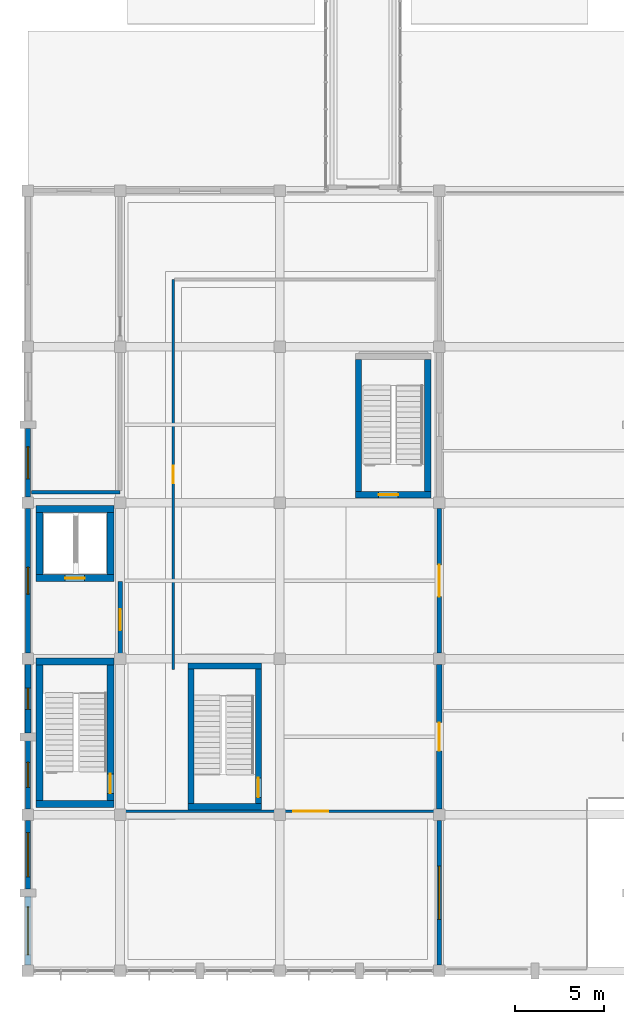
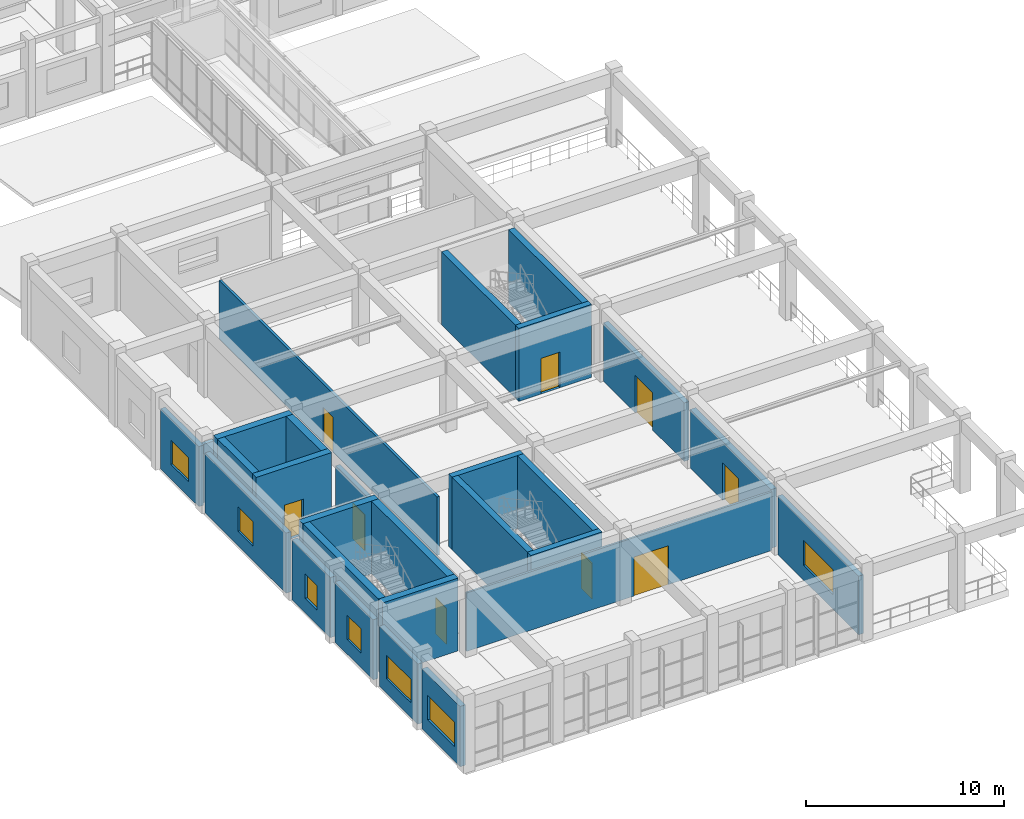
# One storey, part 81 of 104: 28 walls, 9 doors, 7 windows, 16 openings.
"""IFC4 building model written with IfcOpenShell, lengths in metres."""

from ifc_helpers import new_model, si_unit, direction, frame, frame_2d, origin, place, context, subcontext, project, spatial, rectangle, extrude, material, layer, layer_set, type_object, element, fill, save


model = new_model("IFC4")

# Units and contexts
model_context = context("Model", 3, precision=1e-05, world=origin(), true_north=direction((0.0, 1.0)))
body_context = subcontext(model_context, "Body", "Model", "MODEL_VIEW")
ifc_project = project(units=[si_unit("LENGTHUNIT", "METRE"), si_unit("AREAUNIT", "SQUARE_METRE"), si_unit("VOLUMEUNIT", "CUBIC_METRE"), si_unit("PLANEANGLEUNIT", "RADIAN"), si_unit("MASSUNIT", "GRAM", prefix="KILO")], contexts=[model_context])

# Site, building, storey
site_placement = place(None, origin())
site = spatial("IfcSite", under=ifc_project, at=site_placement, CompositionType="ELEMENT")
building_placement = place(site_placement, origin())
building = spatial("IfcBuilding", under=site, at=building_placement, Name="Ventoquebrada Cableway Terminal", CompositionType="ELEMENT")
storey_placement = place(building_placement, frame((0.0, 0.0, 4.800048828125)))
storey = spatial("IfcBuildingStorey", under=building, at=storey_placement, Name="L01", CompositionType="ELEMENT", Elevation=4.800048828125)

# Wall
ifc_material_1 = material(Name="Concrete C40/50", Category="concrete")
ifc_layer_1 = layer(ifc_material_1, 0.39990234375)
ifc_layer_set_1 = layer_set([ifc_layer_1], Name="Concrete C40/50")
wall_type_1 = type_object("IfcWallType", Name="WL-CR1", PredefinedType="SHEAR", material=ifc_layer_set_1)
wall_1_placement = place(storey_placement, frame((3.449951171875, 12.39990234375, 0.0), z_axis=(0.0, 0.0, 1.0), x_axis=(1.0, 0.0, 0.0)))
element("IfcWall", 1, at=wall_1_placement, inside=storey, type_object=wall_type_1, Name="Core shear wall IW-0017", PredefinedType="SHEAR", context=body_context, shape_type="SweptSolid", body=[
    extrude(rectangle(XDim=4.400146484375, YDim=0.39990234375, at=frame_2d((2.2001953125, 0.0))), origin(), (0.0, 0.0, 1.0), 4.489990234375),
])

# Wall, opening, door
wall_2_placement = place(storey_placement, frame((7.64990234375, 12.60009765625, 0.0), z_axis=(0.0, 0.0, 1.0), x_axis=(0.0, 1.0, 0.0)))
wall_2 = element("IfcWall", 2, at=wall_2_placement, inside=storey, type_object=wall_type_1, Name="Core shear wall IW-0018", PredefinedType="SHEAR", context=body_context, shape_type="SweptSolid", body=[
    extrude(rectangle(XDim=7.64990234375, YDim=0.39990234375, at=frame_2d((3.824951171875, 0.0))), origin(), (0.0, 0.0, 1.0), 4.489990234375),
])
opening_1_placement = place(wall_2_placement, frame((0.39990234375, 0.0, 0.0)))
opening_1 = element("IfcOpeningElement", 3, at=opening_1_placement, cuts=wall_2, Name="Opening D-003", PredefinedType="OPENING", context=body_context, shape_type="SweptSolid", body=[
    extrude(rectangle(XDim=1.10009765625, YDim=2.199951171875, at=frame_2d((0.550048828125, 1.10009765625))), frame((0.0, 0.2099609375, 0.0), z_axis=(0.0, -1.0, 0.0), x_axis=(1.0, 0.0, 0.0)), (0.0, 0.0, 1.0), 0.419921875),
])
ifc_material_2 = material(Name="Galvanized fire-rated steel door assembly", Category="steel")
door_type_1 = type_object("IfcDoorType", Name="DT-IN05", OperationType="SINGLE_SWING_LEFT", PredefinedType="DOOR", material=ifc_material_2)
door_1_placement = place(opening_1_placement, origin())
door_1 = element("IfcDoor", 4, at=door_1_placement, inside=storey, type_object=door_type_1, Name="Core K1-S stair fire door D-003", OperationType="SINGLE_SWING_RIGHT", OverallHeight=2.199951171875, OverallWidth=1.10009765625, PredefinedType="DOOR", context=body_context, shape_type="SweptSolid", body=[
    extrude(rectangle(XDim=1.10009765625, YDim=2.199951171875, at=frame_2d((0.550048828125, 1.10009765625))), frame((0.0, 0.02490234375, 0.0), z_axis=(0.0, -1.0, 0.0), x_axis=(1.0, 0.0, 0.0)), (0.0, 0.0, 1.0), 0.050048828125),
])
fill(opening_1, door_1)

# Walls
wall_3_placement = place(storey_placement, frame((7.85009765625, 20.449951171875, 0.0), z_axis=(0.0, 0.0, 1.0), x_axis=(-1.0, 0.0, 0.0)))
element("IfcWall", 5, at=wall_3_placement, inside=storey, type_object=wall_type_1, Name="Core shear wall IW-0019", PredefinedType="SHEAR", context=body_context, shape_type="SweptSolid", body=[
    extrude(rectangle(XDim=4.400146484375, YDim=0.39990234375, at=frame_2d((2.2001953125, 0.0))), origin(), (0.0, 0.0, 1.0), 4.489990234375),
])
wall_4_placement = place(storey_placement, frame((3.64990234375, 20.25, 0.0), z_axis=(0.0, 0.0, 1.0), x_axis=(0.0, -1.0, 0.0)))
element("IfcWall", 6, at=wall_4_placement, inside=storey, type_object=wall_type_1, Name="Core shear wall IW-0020", PredefinedType="SHEAR", context=body_context, shape_type="SweptSolid", body=[
    extrude(rectangle(XDim=7.64990234375, YDim=0.39990234375, at=frame_2d((3.824951171875, 0.0))), origin(), (0.0, 0.0, 1.0), 4.489990234375),
])

# Wall, opening, door
wall_5_placement = place(storey_placement, frame((3.449951171875, 25.14990234375, 0.0), z_axis=(0.0, 0.0, 1.0), x_axis=(1.0, 0.0, 0.0)))
wall_5 = element("IfcWall", 7, at=wall_5_placement, inside=storey, type_object=wall_type_1, Name="Core shear wall IW-0021", PredefinedType="SHEAR", context=body_context, shape_type="SweptSolid", body=[
    extrude(rectangle(XDim=4.400146484375, YDim=0.39990234375, at=frame_2d((2.2001953125, 0.0))), origin(), (0.0, 0.0, 1.0), 4.489990234375),
])
opening_2_placement = place(wall_5_placement, frame((1.64990234375, 0.0, 0.0)))
opening_2 = element("IfcOpeningElement", 8, at=opening_2_placement, cuts=wall_5, Name="Opening LD-003", PredefinedType="OPENING", context=body_context, shape_type="SweptSolid", body=[
    extrude(rectangle(XDim=1.10009765625, YDim=2.199951171875, at=frame_2d((0.550048828125, 1.10009765625))), frame((0.0, 0.2099609375, 0.0), z_axis=(0.0, -1.0, 0.0), x_axis=(1.0, 0.0, 0.0)), (0.0, 0.0, 1.0), 0.419921875),
])
ifc_material_3 = material(Name="Brushed stainless steel Grade 316", Category="steel")
door_type_2 = type_object("IfcDoorType", Name="DT-LD01", OperationType="SLIDING_TO_LEFT", PredefinedType="DOOR", material=ifc_material_3)
door_2_placement = place(opening_2_placement, origin())
door_2 = element("IfcDoor", 9, at=door_2_placement, inside=storey, type_object=door_type_2, Name="Lift landing sliding door LD-003", OperationType="SLIDING_TO_RIGHT", OverallHeight=2.199951171875, OverallWidth=1.10009765625, PredefinedType="DOOR", context=body_context, shape_type="SweptSolid", body=[
    extrude(rectangle(XDim=1.10009765625, YDim=2.199951171875, at=frame_2d((0.550048828125, 1.10009765625))), frame((0.0, 0.02490234375, 0.0), z_axis=(0.0, -1.0, 0.0), x_axis=(1.0, 0.0, 0.0)), (0.0, 0.0, 1.0), 0.050048828125),
])
fill(opening_2, door_2)

# Walls
wall_6_placement = place(storey_placement, frame((7.64990234375, 25.35009765625, 0.0), z_axis=(0.0, 0.0, 1.0), x_axis=(0.0, 1.0, 0.0)))
element("IfcWall", 10, at=wall_6_placement, inside=storey, type_object=wall_type_1, Name="Core shear wall IW-0022", PredefinedType="SHEAR", context=body_context, shape_type="SweptSolid", body=[
    extrude(rectangle(XDim=3.5, YDim=0.39990234375, at=frame_2d((1.75, 0.0))), origin(), (0.0, 0.0, 1.0), 4.489990234375),
])
wall_7_placement = place(storey_placement, frame((7.85009765625, 29.050048828125, 0.0), z_axis=(0.0, 0.0, 1.0), x_axis=(-1.0, 0.0, 0.0)))
element("IfcWall", 11, at=wall_7_placement, inside=storey, type_object=wall_type_1, Name="Core shear wall IW-0023", PredefinedType="SHEAR", context=body_context, shape_type="SweptSolid", body=[
    extrude(rectangle(XDim=4.400146484375, YDim=0.39990234375, at=frame_2d((2.2001953125, 0.0))), origin(), (0.0, 0.0, 1.0), 4.489990234375),
])
wall_8_placement = place(storey_placement, frame((3.64990234375, 28.85009765625, 0.0), z_axis=(0.0, 0.0, 1.0), x_axis=(0.0, -1.0, 0.0)))
element("IfcWall", 12, at=wall_8_placement, inside=storey, type_object=wall_type_1, Name="Core shear wall IW-0024", PredefinedType="SHEAR", context=body_context, shape_type="SweptSolid", body=[
    extrude(rectangle(XDim=3.5, YDim=0.39990234375, at=frame_2d((1.75, 0.0))), origin(), (0.0, 0.0, 1.0), 4.489990234375),
])

# Wall, opening, window
ifc_material_4 = material(Name="Precast architectural concrete C40/50", Category="concrete")
ifc_layer_2 = layer(ifc_material_4, 0.280029296875)
ifc_layer_set_2 = layer_set([ifc_layer_2], Name="Precast architectural concrete C40/50")
wall_type_2 = type_object("IfcWallType", Name="WL-EX1", PredefinedType="SOLIDWALL", material=ifc_layer_set_2)
wall_9_placement = place(storey_placement, frame((26.199951171875, 3.320068359375, 0.0), z_axis=(0.0, 0.0, 1.0), x_axis=(0.0, 1.0, 0.0)))
wall_9 = element("IfcWall", 13, at=wall_9_placement, inside=storey, type_object=wall_type_2, Name="Exterior architectural wall EW-0093", PredefinedType="SOLIDWALL", context=body_context, shape_type="SweptSolid", body=[
    extrude(rectangle(XDim=8.159912109375, YDim=0.280029296875, at=frame_2d((4.080078125, 0.0))), origin(), (0.0, 0.0, 1.0), 3.60986328125),
])
opening_3_placement = place(wall_9_placement, frame((2.580078125, 0.0, 0.89990234375)))
opening_3 = element("IfcOpeningElement", 14, at=opening_3_placement, cuts=wall_9, Name="Opening WN-014", PredefinedType="OPENING", context=body_context, shape_type="SweptSolid", body=[
    extrude(rectangle(XDim=3.0, YDim=1.550048828125, at=frame_2d((1.5, 0.77490234375))), frame((0.0, 0.14990234375, 0.0), z_axis=(0.0, -1.0, 0.0), x_axis=(1.0, 0.0, 0.0)), (0.0, 0.0, 1.0), 0.300048828125),
])
ifc_material_5 = material(Name="Double low-e laminated safety glazing", Category="glass")
window_type_1 = type_object("IfcWindowType", Name="WT-14", PartitioningType="SINGLE_PANEL", PredefinedType="WINDOW", material=ifc_material_5)
window_1_placement = place(opening_3_placement, origin())
window_1 = element("IfcWindow", 15, at=window_1_placement, inside=storey, type_object=window_type_1, Name="Architectural punched window WN-014", OverallHeight=1.550048828125, OverallWidth=3.0, PartitioningType="SINGLE_PANEL", PredefinedType="WINDOW", context=body_context, shape_type="SweptSolid", body=[
    extrude(rectangle(XDim=3.0, YDim=1.550048828125, at=frame_2d((1.5, 0.77490234375))), frame((0.0, 0.030029296875, 0.0), z_axis=(0.0, -1.0, 0.0), x_axis=(1.0, 0.0, 0.0)), (0.0, 0.0, 1.0), 0.06005859375),
])
fill(opening_3, window_1)

# Wall, opening, door
wall_10_placement = place(storey_placement, frame((26.199951171875, 20.919921875, 0.0), z_axis=(0.0, 0.0, 1.0), x_axis=(0.0, 1.0, 0.0)))
wall_10 = element("IfcWall", 16, at=wall_10_placement, inside=storey, type_object=wall_type_2, Name="Exterior architectural wall EW-0095", PredefinedType="SOLIDWALL", context=body_context, shape_type="SweptSolid", body=[
    extrude(rectangle(XDim=8.16015625, YDim=0.280029296875, at=frame_2d((4.080078125, 0.0))), origin(), (0.0, 0.0, 1.0), 3.60986328125),
])
opening_4_placement = place(wall_10_placement, frame((3.179931640625, 0.0, 0.0)))
opening_4 = element("IfcOpeningElement", 17, at=opening_4_placement, cuts=wall_10, Name="Opening D-TS-08", PredefinedType="OPENING", context=body_context, shape_type="SweptSolid", body=[
    extrude(rectangle(XDim=1.800048828125, YDim=2.300048828125, at=frame_2d((0.89990234375, 1.14990234375))), frame((0.0, 0.14990234375, 0.0), z_axis=(0.0, -1.0, 0.0), x_axis=(1.0, 0.0, 0.0)), (0.0, 0.0, 1.0), 0.300048828125),
])
ifc_material_6 = material(Name="Galvanized acoustic steel door assembly", Category="steel")
door_type_3 = type_object("IfcDoorType", Name="DT-EX03", OperationType="DOUBLE_SWING_LEFT", PredefinedType="DOOR", material=ifc_material_6)
door_3_placement = place(opening_4_placement, origin())
door_3 = element("IfcDoor", 18, at=door_3_placement, inside=storey, type_object=door_type_3, Name="Exterior d-ts door D-TS-08", OperationType="DOUBLE_SWING_LEFT", OverallHeight=2.300048828125, OverallWidth=1.800048828125, PredefinedType="DOOR", context=body_context, shape_type="SweptSolid", body=[
    extrude(rectangle(XDim=1.800048828125, YDim=2.300048828125, at=frame_2d((0.89990234375, 1.14990234375))), frame((0.0, 0.02490234375, 0.0), z_axis=(0.0, -1.0, 0.0), x_axis=(1.0, 0.0, 0.0)), (0.0, 0.0, 1.0), 0.050048828125),
])
fill(opening_4, door_3)

# Wall, opening, window
wall_11_placement = place(storey_placement, frame((3.0, 11.47998046875, 0.0), z_axis=(0.0, 0.0, 1.0), x_axis=(0.0, -1.0, 0.0)))
wall_11 = element("IfcWall", 19, at=wall_11_placement, inside=storey, type_object=wall_type_2, Name="Exterior architectural wall EW-0100", PredefinedType="SOLIDWALL", context=body_context, shape_type="SweptSolid", body=[
    extrude(rectangle(XDim=3.85986328125, YDim=0.280029296875, at=frame_2d((1.929931640625, 0.0))), origin(), (0.0, 0.0, 1.0), 3.7099609375),
])
opening_5_placement = place(wall_11_placement, frame((0.679931640625, 0.0, 0.89990234375)))
opening_5 = element("IfcOpeningElement", 20, at=opening_5_placement, cuts=wall_11, Name="Opening WN-019", PredefinedType="OPENING", context=body_context, shape_type="SweptSolid", body=[
    extrude(rectangle(XDim=2.5, YDim=1.449951171875, at=frame_2d((1.25, 0.72509765625))), frame((0.0, 0.14990234375, 0.0), z_axis=(0.0, -1.0, 0.0), x_axis=(1.0, 0.0, 0.0)), (0.0, 0.0, 1.0), 0.300048828125),
])
window_type_2 = type_object("IfcWindowType", Name="WT-19", PartitioningType="SINGLE_PANEL", PredefinedType="WINDOW", material=ifc_material_5)
window_2_placement = place(opening_5_placement, origin())
window_2 = element("IfcWindow", 21, at=window_2_placement, inside=storey, type_object=window_type_2, Name="Architectural punched window WN-019", OverallHeight=1.449951171875, OverallWidth=2.5, PartitioningType="SINGLE_PANEL", PredefinedType="WINDOW", context=body_context, shape_type="SweptSolid", body=[
    extrude(rectangle(XDim=2.5, YDim=1.449951171875, at=frame_2d((1.25, 0.72509765625))), frame((0.0, 0.030029296875, 0.0), z_axis=(0.0, -1.0, 0.0), x_axis=(1.0, 0.0, 0.0)), (0.0, 0.0, 1.0), 0.06005859375),
])
fill(opening_5, window_2)

wall_12_placement = place(storey_placement, frame((3.0, 15.97998046875, 0.0), z_axis=(0.0, 0.0, 1.0), x_axis=(0.0, -1.0, 0.0)))
wall_12 = element("IfcWall", 22, at=wall_12_placement, inside=storey, type_object=wall_type_2, Name="Exterior architectural wall EW-0103", PredefinedType="SOLIDWALL", context=body_context, shape_type="SweptSolid", body=[
    extrude(rectangle(XDim=3.85986328125, YDim=0.280029296875, at=frame_2d((1.929931640625, 0.0))), origin(), (0.0, 0.0, 1.0), 3.7099609375),
])
opening_6_placement = place(wall_12_placement, frame((1.22998046875, 0.0, 0.89990234375)))
opening_6 = element("IfcOpeningElement", 23, at=opening_6_placement, cuts=wall_12, Name="Opening WN-022", PredefinedType="OPENING", context=body_context, shape_type="SweptSolid", body=[
    extrude(rectangle(XDim=1.39990234375, YDim=1.5, at=frame_2d((0.699951171875, 0.75))), frame((0.0, 0.14990234375, 0.0), z_axis=(0.0, -1.0, 0.0), x_axis=(1.0, 0.0, 0.0)), (0.0, 0.0, 1.0), 0.300048828125),
])
window_type_3 = type_object("IfcWindowType", Name="WT-02", PartitioningType="SINGLE_PANEL", PredefinedType="WINDOW", material=ifc_material_5)
window_3_placement = place(opening_6_placement, origin())
window_3 = element("IfcWindow", 24, at=window_3_placement, inside=storey, type_object=window_type_3, Name="Architectural punched window WN-022", OverallHeight=1.5, OverallWidth=1.39990234375, PartitioningType="SINGLE_PANEL", PredefinedType="WINDOW", context=body_context, shape_type="SweptSolid", body=[
    extrude(rectangle(XDim=1.39990234375, YDim=1.5, at=frame_2d((0.699951171875, 0.75))), frame((0.0, 0.030029296875, 0.0), z_axis=(0.0, -1.0, 0.0), x_axis=(1.0, 0.0, 0.0)), (0.0, 0.0, 1.0), 0.06005859375),
])
fill(opening_6, window_3)

wall_13_placement = place(storey_placement, frame((3.0, 29.080078125, 0.0), z_axis=(0.0, 0.0, 1.0), x_axis=(0.0, -1.0, 0.0)))
wall_13 = element("IfcWall", 25, at=wall_13_placement, inside=storey, type_object=wall_type_2, Name="Exterior architectural wall EW-0104", PredefinedType="SOLIDWALL", context=body_context, shape_type="SweptSolid", body=[
    extrude(rectangle(XDim=8.16015625, YDim=0.280029296875, at=frame_2d((4.080078125, 0.0))), origin(), (0.0, 0.0, 1.0), 3.7099609375),
])
opening_7_placement = place(wall_13_placement, frame((3.330078125, 0.0, 0.89990234375)))
opening_7 = element("IfcOpeningElement", 26, at=opening_7_placement, cuts=wall_13, Name="Opening WN-023", PredefinedType="OPENING", context=body_context, shape_type="SweptSolid", body=[
    extrude(rectangle(XDim=1.5, YDim=1.5, at=frame_2d((0.75, 0.75))), frame((0.0, 0.14990234375, 0.0), z_axis=(0.0, -1.0, 0.0), x_axis=(1.0, 0.0, 0.0)), (0.0, 0.0, 1.0), 0.300048828125),
])
window_type_4 = type_object("IfcWindowType", Name="WT-03", PartitioningType="SINGLE_PANEL", PredefinedType="WINDOW", material=ifc_material_5)
window_4_placement = place(opening_7_placement, origin())
window_4 = element("IfcWindow", 27, at=window_4_placement, inside=storey, type_object=window_type_4, Name="Architectural punched window WN-023", OverallHeight=1.5, OverallWidth=1.5, PartitioningType="SINGLE_PANEL", PredefinedType="WINDOW", context=body_context, shape_type="SweptSolid", body=[
    extrude(rectangle(XDim=1.5, YDim=1.5, at=frame_2d((0.75, 0.75))), frame((0.0, 0.030029296875, 0.0), z_axis=(0.0, -1.0, 0.0), x_axis=(1.0, 0.0, 0.0)), (0.0, 0.0, 1.0), 0.06005859375),
])
fill(opening_7, window_4)

wall_14_placement = place(storey_placement, frame((3.0, 33.580078125, 0.0), z_axis=(0.0, 0.0, 1.0), x_axis=(0.0, -1.0, 0.0)))
wall_14 = element("IfcWall", 28, at=wall_14_placement, inside=storey, type_object=wall_type_2, Name="Exterior architectural wall EW-0106", PredefinedType="SOLIDWALL", context=body_context, shape_type="SweptSolid", body=[
    extrude(rectangle(XDim=3.860107421875, YDim=0.280029296875, at=frame_2d((1.93017578125, 0.0))), origin(), (0.0, 0.0, 1.0), 3.7099609375),
])
opening_8_placement = place(wall_14_placement, frame((1.030029296875, 0.0, 0.89990234375)))
opening_8 = element("IfcOpeningElement", 29, at=opening_8_placement, cuts=wall_14, Name="Opening WN-025", PredefinedType="OPENING", context=body_context, shape_type="SweptSolid", body=[
    extrude(rectangle(XDim=1.800048828125, YDim=1.5, at=frame_2d((0.89990234375, 0.75))), frame((0.0, 0.14990234375, 0.0), z_axis=(0.0, -1.0, 0.0), x_axis=(1.0, 0.0, 0.0)), (0.0, 0.0, 1.0), 0.300048828125),
])
window_type_5 = type_object("IfcWindowType", Name="WT-05", PartitioningType="SINGLE_PANEL", PredefinedType="WINDOW", material=ifc_material_5)
window_5_placement = place(opening_8_placement, origin())
window_5 = element("IfcWindow", 30, at=window_5_placement, inside=storey, type_object=window_type_5, Name="Architectural punched window WN-025", OverallHeight=1.5, OverallWidth=1.800048828125, PartitioningType="SINGLE_PANEL", PredefinedType="WINDOW", context=body_context, shape_type="SweptSolid", body=[
    extrude(rectangle(XDim=1.800048828125, YDim=1.5, at=frame_2d((0.89990234375, 0.75))), frame((0.0, 0.030029296875, 0.0), z_axis=(0.0, -1.0, 0.0), x_axis=(1.0, 0.0, 0.0)), (0.0, 0.0, 1.0), 0.06005859375),
])
fill(opening_8, window_5)

# Wall, opening, door
ifc_layer_3 = layer(ifc_material_4, 0.320068359375)
ifc_layer_set_3 = layer_set([ifc_layer_3], Name="Precast architectural concrete C40/50")
wall_type_3 = type_object("IfcWallType", Name="WL-EX2", PredefinedType="SOLIDWALL", material=ifc_layer_set_3)
wall_15_placement = place(storey_placement, frame((26.199951171875, 12.1201171875, 0.0), z_axis=(0.0, 0.0, 1.0), x_axis=(0.0, 1.0, 0.0)))
wall_15 = element("IfcWall", 31, at=wall_15_placement, inside=storey, type_object=wall_type_3, Name="Exterior architectural wall EW-0094", PredefinedType="SOLIDWALL", context=body_context, shape_type="SweptSolid", body=[
    extrude(rectangle(XDim=8.159912109375, YDim=0.320068359375, at=frame_2d((4.080078125, 0.0))), origin(), (0.0, 0.0, 1.0), 3.60986328125),
])
opening_9_placement = place(wall_15_placement, frame((3.280029296875, 0.0, 0.0)))
opening_9 = element("IfcOpeningElement", 32, at=opening_9_placement, cuts=wall_15, Name="Opening D-TS-07", PredefinedType="OPENING", context=body_context, shape_type="SweptSolid", body=[
    extrude(rectangle(XDim=1.60009765625, YDim=2.300048828125, at=frame_2d((0.800048828125, 1.14990234375))), frame((0.0, 0.169921875, 0.0), z_axis=(0.0, -1.0, 0.0), x_axis=(1.0, 0.0, 0.0)), (0.0, 0.0, 1.0), 0.340087890625),
])
door_type_4 = type_object("IfcDoorType", Name="DT-EX06", OperationType="SLIDING_TO_LEFT", PredefinedType="DOOR", material=ifc_material_6)
door_4_placement = place(opening_9_placement, origin())
door_4 = element("IfcDoor", 33, at=door_4_placement, inside=storey, type_object=door_type_4, Name="Exterior d-ts door D-TS-07", OperationType="SLIDING_TO_LEFT", OverallHeight=2.300048828125, OverallWidth=1.60009765625, PredefinedType="DOOR", context=body_context, shape_type="SweptSolid", body=[
    extrude(rectangle(XDim=1.60009765625, YDim=2.300048828125, at=frame_2d((0.800048828125, 1.14990234375))), frame((0.0, 0.02490234375, 0.0), z_axis=(0.0, -1.0, 0.0), x_axis=(1.0, 0.0, 0.0)), (0.0, 0.0, 1.0), 0.050048828125),
])
fill(opening_9, door_4)

# Wall, opening, window
wall_16_placement = place(storey_placement, frame((3.0, 7.179931640625, 0.0), z_axis=(0.0, 0.0, 1.0), x_axis=(0.0, -1.0, 0.0)))
wall_16 = element("IfcWall", 34, at=wall_16_placement, inside=storey, type_object=wall_type_3, Name="Exterior architectural wall EW-0101", PredefinedType="SOLIDWALL", context=body_context, shape_type="SweptSolid", body=[
    extrude(rectangle(XDim=3.85986328125, YDim=0.320068359375, at=frame_2d((1.929931640625, 0.0))), origin(), (0.0, 0.0, 1.0), 3.7099609375),
])
opening_10_placement = place(wall_16_placement, frame((0.580078125, 0.0, 0.89990234375)))
opening_10 = element("IfcOpeningElement", 35, at=opening_10_placement, cuts=wall_16, Name="Opening WN-020", PredefinedType="OPENING", context=body_context, shape_type="SweptSolid", body=[
    extrude(rectangle(XDim=2.699951171875, YDim=1.5, at=frame_2d((1.35009765625, 0.75))), frame((0.0, 0.169921875, 0.0), z_axis=(0.0, -1.0, 0.0), x_axis=(1.0, 0.0, 0.0)), (0.0, 0.0, 1.0), 0.340087890625),
])
window_type_6 = type_object("IfcWindowType", Name="WT-20", PartitioningType="SINGLE_PANEL", PredefinedType="WINDOW", material=ifc_material_5)
window_6_placement = place(opening_10_placement, origin())
window_6 = element("IfcWindow", 36, at=window_6_placement, inside=storey, type_object=window_type_6, Name="Architectural punched window WN-020", OverallHeight=1.5, OverallWidth=2.699951171875, PartitioningType="SINGLE_PANEL", PredefinedType="WINDOW", context=body_context, shape_type="SweptSolid", body=[
    extrude(rectangle(XDim=2.699951171875, YDim=1.5, at=frame_2d((1.35009765625, 0.75))), frame((0.0, 0.030029296875, 0.0), z_axis=(0.0, -1.0, 0.0), x_axis=(1.0, 0.0, 0.0)), (0.0, 0.0, 1.0), 0.06005859375),
])
fill(opening_10, window_6)

wall_17_placement = place(storey_placement, frame((3.0, 20.280029296875, 0.0), z_axis=(0.0, 0.0, 1.0), x_axis=(0.0, -1.0, 0.0)))
wall_17 = element("IfcWall", 37, at=wall_17_placement, inside=storey, type_object=wall_type_3, Name="Exterior architectural wall EW-0102", PredefinedType="SOLIDWALL", context=body_context, shape_type="SweptSolid", body=[
    extrude(rectangle(XDim=3.860107421875, YDim=0.320068359375, at=frame_2d((1.93017578125, 0.0))), origin(), (0.0, 0.0, 1.0), 3.7099609375),
])
opening_11_placement = place(wall_17_placement, frame((1.330078125, 0.0, 0.89990234375)))
opening_11 = element("IfcOpeningElement", 38, at=opening_11_placement, cuts=wall_17, Name="Opening WN-021", PredefinedType="OPENING", context=body_context, shape_type="SweptSolid", body=[
    extrude(rectangle(XDim=1.199951171875, YDim=1.5, at=frame_2d((0.60009765625, 0.75))), frame((0.0, 0.169921875, 0.0), z_axis=(0.0, -1.0, 0.0), x_axis=(1.0, 0.0, 0.0)), (0.0, 0.0, 1.0), 0.340087890625),
])
window_type_7 = type_object("IfcWindowType", Name="WT-01", PartitioningType="SINGLE_PANEL", PredefinedType="WINDOW", material=ifc_material_5)
window_7_placement = place(opening_11_placement, origin())
window_7 = element("IfcWindow", 39, at=window_7_placement, inside=storey, type_object=window_type_7, Name="Architectural punched window WN-021", OverallHeight=1.5, OverallWidth=1.199951171875, PartitioningType="SINGLE_PANEL", PredefinedType="WINDOW", context=body_context, shape_type="SweptSolid", body=[
    extrude(rectangle(XDim=1.199951171875, YDim=1.5, at=frame_2d((0.60009765625, 0.75))), frame((0.0, 0.030029296875, 0.0), z_axis=(0.0, -1.0, 0.0), x_axis=(1.0, 0.0, 0.0)), (0.0, 0.0, 1.0), 0.06005859375),
])
fill(opening_11, window_7)

# Wall, opening, door
ifc_material_7 = material(Name="Fire-rated gypsum partition board on steel framing", Category="steel")
ifc_layer_4 = layer(ifc_material_7, 0.1201171875)
ifc_layer_set_4 = layer_set([ifc_layer_4], Name="Fire-rated gypsum partition board on steel framing")
wall_type_4 = type_object("IfcWallType", Name="WL-PT1", PredefinedType="PARTITIONING", material=ifc_layer_set_4)
wall_18_placement = place(storey_placement, frame((8.199951171875, 12.0, 0.0), z_axis=(0.0, 0.0, 1.0), x_axis=(1.0, 0.0, 0.0)))
wall_18 = element("IfcWall", 40, at=wall_18_placement, inside=storey, type_object=wall_type_4, Name="Interior partition IW-0351", PredefinedType="PARTITIONING", context=body_context, shape_type="SweptSolid", body=[
    extrude(rectangle(XDim=17.800048828125, YDim=0.1201171875, at=frame_2d((8.89990234375, 0.0))), origin(), (0.0, 0.0, 1.0), 3.599853515625),
])
opening_12_placement = place(wall_18_placement, frame((9.75, 0.0, 0.0)))
opening_12 = element("IfcOpeningElement", 41, at=opening_12_placement, cuts=wall_18, Name="Opening D-086", PredefinedType="OPENING", context=body_context, shape_type="SweptSolid", body=[
    extrude(rectangle(XDim=2.0, YDim=2.39990234375, at=frame_2d((1.0, 1.199951171875))), frame((0.0, 0.070068359375, 0.0), z_axis=(0.0, -1.0, 0.0), x_axis=(1.0, 0.0, 0.0)), (0.0, 0.0, 1.0), 0.14013671875),
])
door_type_5 = type_object("IfcDoorType", Name="DT-IN09", OperationType="DOUBLE_DOOR_SINGLE_SWING", PredefinedType="DOOR", material=ifc_material_2)
door_5_placement = place(opening_12_placement, origin())
door_5 = element("IfcDoor", 42, at=door_5_placement, inside=storey, type_object=door_type_5, Name="Commuter Mezzanine Doors D-086", OperationType="DOUBLE_DOOR_SINGLE_SWING", OverallHeight=2.39990234375, OverallWidth=2.0, PredefinedType="DOOR", context=body_context, shape_type="SweptSolid", body=[
    extrude(rectangle(XDim=2.0, YDim=2.39990234375, at=frame_2d((1.0, 1.199951171875))), frame((0.0, 0.02490234375, 0.0), z_axis=(0.0, -1.0, 0.0), x_axis=(1.0, 0.0, 0.0)), (0.0, 0.0, 1.0), 0.050048828125),
])
fill(opening_12, door_5)

ifc_material_8 = material(Name="Autoclaved aerated concrete blockwork", Category="masonry")
ifc_layer_5 = layer(ifc_material_8, 0.2451171875)
ifc_layer_set_5 = layer_set([ifc_layer_5], Name="Autoclaved aerated concrete blockwork")
wall_type_5 = type_object("IfcWallType", Name="WL-PT10", PredefinedType="PARTITIONING", material=ifc_layer_set_5)
wall_19_placement = place(storey_placement, frame((8.199951171875, 20.64990234375, 0.0), z_axis=(0.0, 0.0, 1.0), x_axis=(0.0, 1.0, 0.0)))
wall_19 = element("IfcWall", 43, at=wall_19_placement, inside=storey, type_object=wall_type_5, Name="Interior partition IW-0350", PredefinedType="PARTITIONING", context=body_context, shape_type="SweptSolid", body=[
    extrude(rectangle(XDim=4.300048828125, YDim=0.2451171875, at=frame_2d((2.14990234375, 0.0))), origin(), (0.0, 0.0, 1.0), 3.599853515625),
])
opening_13_placement = place(wall_19_placement, frame((1.550048828125, 0.0, 0.0)))
opening_13 = element("IfcOpeningElement", 44, at=opening_13_placement, cuts=wall_19, Name="Opening D-085", PredefinedType="OPENING", context=body_context, shape_type="SweptSolid", body=[
    extrude(rectangle(XDim=1.199951171875, YDim=2.199951171875, at=frame_2d((0.60009765625, 1.10009765625))), frame((0.0, 0.132568359375, 0.0), z_axis=(0.0, -1.0, 0.0), x_axis=(1.0, 0.0, 0.0)), (0.0, 0.0, 1.0), 0.26513671875),
])
door_type_6 = type_object("IfcDoorType", Name="DT-IN06", OperationType="SINGLE_SWING_RIGHT", PredefinedType="DOOR", material=ifc_material_2)
door_6_placement = place(opening_13_placement, origin())
door_6 = element("IfcDoor", 45, at=door_6_placement, inside=storey, type_object=door_type_6, Name="K1 Firefighting Lobby Door D-085", OperationType="SINGLE_SWING_RIGHT", OverallHeight=2.199951171875, OverallWidth=1.199951171875, PredefinedType="DOOR", context=body_context, shape_type="SweptSolid", body=[
    extrude(rectangle(XDim=1.199951171875, YDim=2.199951171875, at=frame_2d((0.60009765625, 1.10009765625))), frame((0.0, 0.02490234375, 0.0), z_axis=(0.0, -1.0, 0.0), x_axis=(1.0, 0.0, 0.0)), (0.0, 0.0, 1.0), 0.050048828125),
])
fill(opening_13, door_6)

ifc_layer_6 = layer(ifc_material_7, 0.14990234375)
ifc_layer_set_6 = layer_set([ifc_layer_6], Name="Fire-rated gypsum partition board on steel framing")
wall_type_6 = type_object("IfcWallType", Name="WL-PT2", PredefinedType="PARTITIONING", material=ifc_layer_set_6)
wall_20_placement = place(storey_placement, frame((11.199951171875, 20.0, 0.0), z_axis=(0.0, 0.0, 1.0), x_axis=(0.0, 1.0, 0.0)))
wall_20 = element("IfcWall", 46, at=wall_20_placement, inside=storey, type_object=wall_type_6, Name="Interior partition IW-0352", PredefinedType="PARTITIONING", context=body_context, shape_type="SweptSolid", body=[
    extrude(rectangle(XDim=22.0, YDim=0.14990234375, at=frame_2d((11.0, 0.0))), origin(), (0.0, 0.0, 1.0), 3.599853515625),
])
opening_14_placement = place(wall_20_placement, frame((10.5, 0.0, 0.0)))
opening_14 = element("IfcOpeningElement", 47, at=opening_14_placement, cuts=wall_20, Name="Opening D-087", PredefinedType="OPENING", context=body_context, shape_type="SweptSolid", body=[
    extrude(rectangle(XDim=1.0, YDim=2.14990234375, at=frame_2d((0.5, 1.074951171875))), frame((0.0, 0.0849609375, 0.0), z_axis=(0.0, -1.0, 0.0), x_axis=(1.0, 0.0, 0.0)), (0.0, 0.0, 1.0), 0.169921875),
])
ifc_material_9 = material(Name="Fire-retardant oak acoustic door leaf")
door_type_7 = type_object("IfcDoorType", Name="DT-IN02", OperationType="SINGLE_SWING_RIGHT", PredefinedType="DOOR", material=ifc_material_9)
door_7_placement = place(opening_14_placement, origin())
door_7 = element("IfcDoor", 48, at=door_7_placement, inside=storey, type_object=door_type_7, Name="Station Management Suite Door D-087", OperationType="SINGLE_SWING_RIGHT", OverallHeight=2.14990234375, OverallWidth=1.0, PredefinedType="DOOR", context=body_context, shape_type="SweptSolid", body=[
    extrude(rectangle(XDim=1.0, YDim=2.14990234375, at=frame_2d((0.5, 1.074951171875))), frame((0.0, 0.02490234375, 0.0), z_axis=(0.0, -1.0, 0.0), x_axis=(1.0, 0.0, 0.0)), (0.0, 0.0, 1.0), 0.050048828125),
])
fill(opening_14, door_7)

# Wall
ifc_layer_7 = layer(ifc_material_8, 0.199951171875)
ifc_layer_set_7 = layer_set([ifc_layer_7], Name="Autoclaved aerated concrete blockwork")
wall_type_7 = type_object("IfcWallType", Name="WL-PT4", PredefinedType="PARTITIONING", material=ifc_layer_set_7)
wall_21_placement = place(storey_placement, frame((3.199951171875, 30.0, 0.0), z_axis=(0.0, 0.0, 1.0), x_axis=(1.0, 0.0, 0.0)))
element("IfcWall", 49, at=wall_21_placement, inside=storey, type_object=wall_type_7, Name="Interior partition IW-0354", PredefinedType="PARTITIONING", context=body_context, shape_type="SweptSolid", body=[
    extrude(rectangle(XDim=5.0, YDim=0.199951171875, at=frame_2d((2.5, 0.0))), origin(), (0.0, 0.0, 1.0), 3.599853515625),
])

# Wall, opening, door
ifc_layer_8 = layer(ifc_material_1, 0.35009765625)
ifc_layer_set_8 = layer_set([ifc_layer_8], Name="Concrete C40/50")
wall_type_8 = type_object("IfcWallType", Name="WL-SH1", PredefinedType="SHEAR", material=ifc_layer_set_8)
wall_22_placement = place(storey_placement, frame((21.47509765625, 29.85009765625, 0.0), z_axis=(0.0, 0.0, 1.0), x_axis=(1.0, 0.0, 0.0)))
wall_22 = element("IfcWall", 50, at=wall_22_placement, inside=storey, type_object=wall_type_8, Name="Core shear wall IW-0193", PredefinedType="SHEAR", context=body_context, shape_type="SweptSolid", body=[
    extrude(rectangle(XDim=4.25, YDim=0.35009765625, at=frame_2d((2.125, 0.0))), origin(), (0.0, 0.0, 1.0), 4.489990234375),
])
opening_15_placement = place(wall_22_placement, frame((1.300048828125, 0.0, 0.0)))
opening_15 = element("IfcOpeningElement", 51, at=opening_15_placement, cuts=wall_22, Name="Opening D-025", PredefinedType="OPENING", context=body_context, shape_type="SweptSolid", body=[
    extrude(rectangle(XDim=1.10009765625, YDim=2.199951171875, at=frame_2d((0.550048828125, 1.10009765625))), frame((0.0, 0.18505859375, 0.0), z_axis=(0.0, -1.0, 0.0), x_axis=(1.0, 0.0, 0.0)), (0.0, 0.0, 1.0), 0.3701171875),
])
door_8_placement = place(opening_15_placement, origin())
door_8 = element("IfcDoor", 52, at=door_8_placement, inside=storey, type_object=door_type_1, Name="Core V5-SEC stair fire door D-025", OperationType="SINGLE_SWING_RIGHT", OverallHeight=2.199951171875, OverallWidth=1.10009765625, PredefinedType="DOOR", context=body_context, shape_type="SweptSolid", body=[
    extrude(rectangle(XDim=1.10009765625, YDim=2.199951171875, at=frame_2d((0.550048828125, 1.10009765625))), frame((0.0, 0.02490234375, 0.0), z_axis=(0.0, -1.0, 0.0), x_axis=(1.0, 0.0, 0.0)), (0.0, 0.0, 1.0), 0.050048828125),
])
fill(opening_15, door_8)

# Walls
for number, where, z_axis, x_axis, name in (
    (53, (25.550048828125, 30.02490234375, 0.0), (0.0, 0.0, 1.0), (0.0, 1.0, 0.0), "Core shear wall IW-0194"),
    (54, (21.64990234375, 37.47509765625, 0.0), (0.0, 0.0, 1.0), (0.0, -1.0, 0.0), "Core shear wall IW-0196"),
):
    element("IfcWall", number, at=place(storey_placement, frame(where, z_axis=z_axis, x_axis=x_axis)), inside=storey, type_object=wall_type_8, Name=name, PredefinedType="SHEAR", context=body_context, shape_type="SweptSolid", body=[
        extrude(rectangle(XDim=7.4501953125, YDim=0.35009765625, at=frame_2d((3.72509765625, 0.0))), origin(), (0.0, 0.0, 1.0), 4.489990234375),
    ])
wall_23_placement = place(storey_placement, frame((12.02490234375, 12.25, 0.0), z_axis=(0.0, 0.0, 1.0), x_axis=(1.0, 0.0, 0.0)))
element("IfcWall", 55, at=wall_23_placement, inside=storey, type_object=wall_type_8, Name="Core shear wall IW-0269", PredefinedType="SHEAR", context=body_context, shape_type="SweptSolid", body=[
    extrude(rectangle(XDim=4.150146484375, YDim=0.35009765625, at=frame_2d((2.0751953125, 0.0))), origin(), (0.0, 0.0, 1.0), 4.489990234375),
])

# Wall, opening, door
wall_24_placement = place(storey_placement, frame((16.0, 12.425048828125, 0.0), z_axis=(0.0, 0.0, 1.0), x_axis=(0.0, 1.0, 0.0)))
wall_24 = element("IfcWall", 56, at=wall_24_placement, inside=storey, type_object=wall_type_8, Name="Core shear wall IW-0270", PredefinedType="SHEAR", context=body_context, shape_type="SweptSolid", body=[
    extrude(rectangle(XDim=7.599853515625, YDim=0.35009765625, at=frame_2d((3.7998046875, 0.0))), origin(), (0.0, 0.0, 1.0), 4.489990234375),
])
opening_16_placement = place(wall_24_placement, frame((0.35009765625, 0.0, 0.0)))
opening_16 = element("IfcOpeningElement", 57, at=opening_16_placement, cuts=wall_24, Name="Opening D-042", PredefinedType="OPENING", context=body_context, shape_type="SweptSolid", body=[
    extrude(rectangle(XDim=1.10009765625, YDim=2.199951171875, at=frame_2d((0.550048828125, 1.10009765625))), frame((0.0, 0.18505859375, 0.0), z_axis=(0.0, -1.0, 0.0), x_axis=(1.0, 0.0, 0.0)), (0.0, 0.0, 1.0), 0.3701171875),
])
door_9_placement = place(opening_16_placement, origin())
door_9 = element("IfcDoor", 58, at=door_9_placement, inside=storey, type_object=door_type_1, Name="Core V5-FEAT stair fire door D-042", OperationType="SINGLE_SWING_LEFT", OverallHeight=2.199951171875, OverallWidth=1.10009765625, PredefinedType="DOOR", context=body_context, shape_type="SweptSolid", body=[
    extrude(rectangle(XDim=1.10009765625, YDim=2.199951171875, at=frame_2d((0.550048828125, 1.10009765625))), frame((0.0, 0.02490234375, 0.0), z_axis=(0.0, -1.0, 0.0), x_axis=(1.0, 0.0, 0.0)), (0.0, 0.0, 1.0), 0.050048828125),
])
fill(opening_16, door_9)

# Walls
wall_25_placement = place(storey_placement, frame((16.175048828125, 20.199951171875, 0.0), z_axis=(0.0, 0.0, 1.0), x_axis=(-1.0, 0.0, 0.0)))
element("IfcWall", 59, at=wall_25_placement, inside=storey, type_object=wall_type_8, Name="Core shear wall IW-0271", PredefinedType="SHEAR", context=body_context, shape_type="SweptSolid", body=[
    extrude(rectangle(XDim=4.150146484375, YDim=0.35009765625, at=frame_2d((2.0751953125, 0.0))), origin(), (0.0, 0.0, 1.0), 4.489990234375),
])
wall_26_placement = place(storey_placement, frame((12.199951171875, 20.02490234375, 0.0), z_axis=(0.0, 0.0, 1.0), x_axis=(0.0, -1.0, 0.0)))
element("IfcWall", 60, at=wall_26_placement, inside=storey, type_object=wall_type_8, Name="Core shear wall IW-0272", PredefinedType="SHEAR", context=body_context, shape_type="SweptSolid", body=[
    extrude(rectangle(XDim=7.599853515625, YDim=0.35009765625, at=frame_2d((3.7998046875, 0.0))), origin(), (0.0, 0.0, 1.0), 4.489990234375),
])

save(model, "model.ifc")
